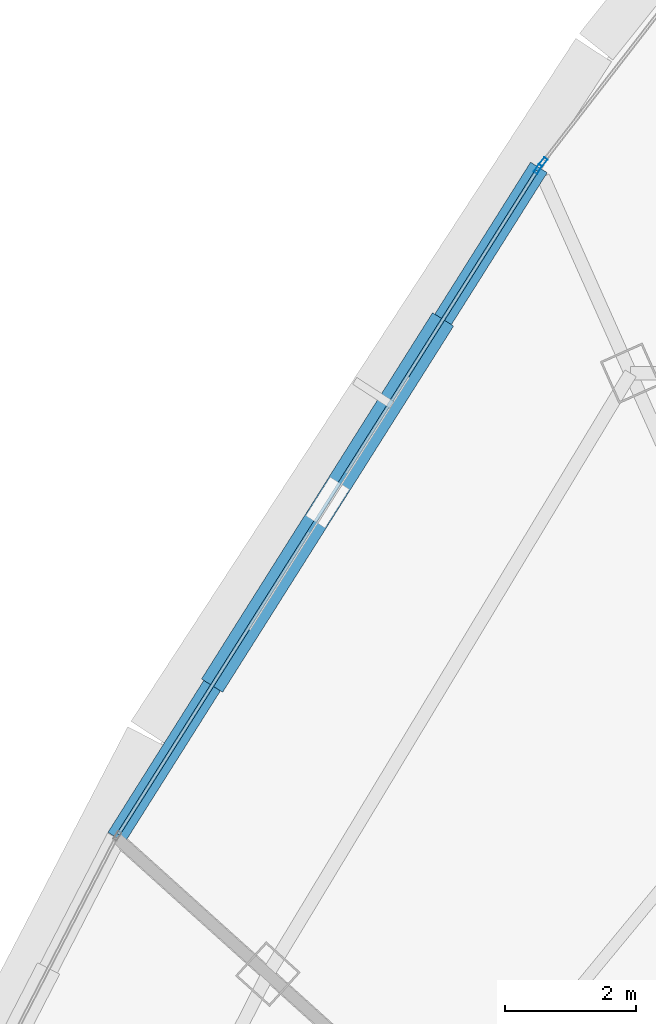
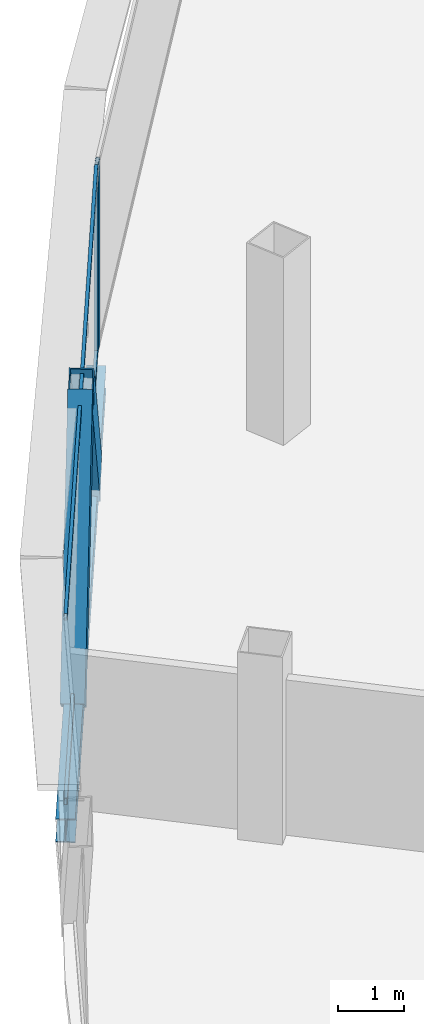
# One storey, part 16 of 26: 6 members, 1 beam, 2 elements without a shape of their own.
"""IFC4 building model written with IfcOpenShell, lengths in metres."""

from ifc_helpers import new_model, si_unit, direction, frame, origin, origin_2d, place, context, subcontext, project, spatial, hollow_rectangle, i_section, extrude, source, transform, mapped, material, layer, layer_set, material_profile, profile_set, type_object, element, aggregate, save


model = new_model("IFC4")

# Units and contexts
model_context = context("Model", 3, precision=1e-05, world=origin(), true_north=direction((0.0, 1.0)))
body_context = subcontext(model_context, "Body", "Model", "MODEL_VIEW")
ifc_project = project(units=[si_unit("LENGTHUNIT", "METRE"), si_unit("AREAUNIT", "SQUARE_METRE"), si_unit("VOLUMEUNIT", "CUBIC_METRE"), si_unit("PLANEANGLEUNIT", "RADIAN"), si_unit("MASSUNIT", "GRAM", prefix="KILO"), si_unit("THERMODYNAMICTEMPERATUREUNIT", "KELVIN"), si_unit("POWERUNIT", "WATT")], contexts=[model_context])

# Site, building, storey
site_placement = place(None, origin())
site = spatial("IfcSite", under=ifc_project, at=site_placement, CompositionType="ELEMENT")
building_placement = place(site_placement, origin())
building = spatial("IfcBuilding", under=site, at=building_placement, Name="Yunzhuo Pagoda Commons", CompositionType="ELEMENT")
storey_placement = place(building_placement, frame((0.0, 0.0, 340.510009765625)))
storey = spatial("IfcBuildingStorey", under=building, at=storey_placement, Name="L85", CompositionType="ELEMENT", Elevation=340.510009765625)

# Beam
ifc_material_1 = material(Name="Structural steel Q355B", Category="steel")
ifc_material_profile_1 = material_profile(ifc_material_1, i_section(OverallWidth=0.300048828125, OverallDepth=0.43994140625, WebThickness=0.010986328125, FlangeThickness=0.01806640625, at=origin_2d()), Name="Structural steel Q355B")
ifc_profile_set_1 = profile_set([ifc_material_profile_1], Name="Structural steel Q355B")
beam_type = type_object("IfcBeamType", Name="B-SP2 Beam HM 440x300x11x18", PredefinedType="BEAM", material=ifc_profile_set_1)
shared_shape_1 = source(origin(), body_context, "Body", "SweptSolid", [
    extrude(i_section(OverallWidth=0.300048828125, OverallDepth=0.43994140625, WebThickness=0.010986328125, FlangeThickness=0.01806640625, at=origin_2d()), origin(), (0.0, 0.0, 1.0), 12.06982421875),
])
beam_placement = place(storey_placement, frame((36.104736328125, 60.4169921875, -0.47998046875), z_axis=(-0.533456357961, -0.845827591268, 0.0), x_axis=(0.845827591268, -0.533456357961, 0.0)))
element("IfcBeam", 1, at=beam_placement, inside=storey, type_object=beam_type, Name="L85 facade edge spandrel beam F3.1", PredefinedType="BEAM", context=body_context, shape_type="MappedRepresentation", body=[
    mapped(shared_shape_1, transform((0.0, 0.0, 0.0), scale=1.0)),
])

# Members
ifc_material_profile_2 = material_profile(ifc_material_1, hollow_rectangle(XDim=0.3798828125, YDim=0.719970703125, WallThickness=0.02001953125, at=origin_2d()), Name="Structural steel Q355B")
ifc_profile_set_2 = profile_set([ifc_material_profile_2], Name="Structural steel Q355B")
member_type_1 = type_object("IfcMemberType", Name="M-DL3 Brace BOX 720x380x20", PredefinedType="BRACE", material=ifc_profile_set_2)
shared_shape_2 = source(origin(), body_context, "Body", "SweptSolid", [
    extrude(hollow_rectangle(XDim=0.3798828125, YDim=0.719970703125, WallThickness=0.02001953125, at=origin_2d()), origin(), (0.0, 0.0, 1.0), 4.813232421875),
])
for number, where, z_axis, x_axis, name in (
    (2, (34.4951171875, 57.86474609375, -0.260009765625), (-0.334459548167, -0.530245695562, 0.779086845594), (0.845800210541, -0.533499769305, 0.0), "L85 facade diamond brace F3.1L"),
    (3, (31.275390625, 52.760498046875, -0.260009765625), (0.334468543395, 0.530209233258, 0.77910779899), (-0.845777180308, 0.533536279245, 0.0), "L85 facade diamond brace F3.1R"),
):
    element("IfcMember", number, at=place(storey_placement, frame(where, z_axis=z_axis, x_axis=x_axis)), inside=storey, type_object=member_type_1, Name=name, PredefinedType="BRACE", context=body_context, shape_type="MappedRepresentation", body=[
        mapped(shared_shape_2, transform((0.0, 0.0, 0.0), scale=1.0)),
    ])

# Curtain wall, member
ifc_material_2 = material(Name="Anodized aluminium 6063-T6", Category="aluminium")
ifc_layer = layer(ifc_material_2, 0.139892578125)
ifc_layer_set = layer_set([ifc_layer], Name="Anodized aluminium 6063-T6")
curtain_wall_type = type_object("IfcCurtainWallType", Name="CW-HI High-Zone Ribbon Curtain Wall", PredefinedType="NOTDEFINED", material=ifc_layer_set)
curtain_wall_1_placement = place(storey_placement, origin())
curtain_wall_1 = element("IfcCurtainWall", 4, at=curtain_wall_1_placement, inside=storey, type_object=curtain_wall_type, Name="L85 curtain wall CW-L85-F3B2", PredefinedType="NOTDEFINED")
ifc_material_profile_3 = material_profile(ifc_material_2, hollow_rectangle(XDim=0.06005859375, YDim=0.139892578125, WallThickness=0.00341796875, at=origin_2d()), Name="Anodized aluminium 6063-T6")
ifc_profile_set_3 = profile_set([ifc_material_profile_3], Name="Anodized aluminium 6063-T6")
member_type_2 = type_object("IfcMemberType", Name="CW-HI-M Mullion RHS 140x60x3.5", PredefinedType="MULLION", material=ifc_profile_set_3)
shared_shape_3 = source(origin(), body_context, "Body", "SweptSolid", [
    extrude(hollow_rectangle(XDim=0.06005859375, YDim=0.139892578125, WallThickness=0.00341796875, at=origin_2d()), origin(), (0.0, 0.0, 1.0), 3.489990234375),
])
member_1_placement = place(storey_placement, frame((36.0888671875, 60.391845703125, 0.0), z_axis=(0.0, 0.0, 1.0), x_axis=(0.845817518552, -0.533472328532, 0.0)))
member_1 = element("IfcMember", 5, at=member_1_placement, type_object=member_type_2, Name="CW mullion 1", PredefinedType="MULLION", context=body_context, shape_type="MappedRepresentation", body=[
    mapped(shared_shape_3, transform((0.0, 0.0, 0.0), scale=1.0)),
])

curtain_wall_2_placement = place(storey_placement, origin())
curtain_wall_2 = element("IfcCurtainWall", 6, at=curtain_wall_2_placement, inside=storey, type_object=curtain_wall_type, Name="L85 curtain wall CW-L85-F3B1", PredefinedType="NOTDEFINED")
member_2_placement = place(storey_placement, frame((36.16943359375, 60.5, 0.0), z_axis=(0.0, 0.0, 1.0), x_axis=(0.79052744869, -0.612426610189, 0.0)))
member_2 = element("IfcMember", 7, at=member_2_placement, type_object=member_type_2, Name="CW mullion 2", PredefinedType="MULLION", context=body_context, shape_type="MappedRepresentation", body=[
    mapped(shared_shape_3, transform((0.0, 0.0, 0.0), scale=1.0)),
])
aggregate(curtain_wall_2, [member_2])

# Member
ifc_material_profile_4 = material_profile(ifc_material_2, hollow_rectangle(XDim=0.054931640625, YDim=0.1201171875, WallThickness=0.00341796875, at=origin_2d()), Name="Anodized aluminium 6063-T6")
ifc_profile_set_4 = profile_set([ifc_material_profile_4], Name="Anodized aluminium 6063-T6")
member_type_3 = type_object("IfcMemberType", Name="CW-HI-T Transom RHS 120x55x3.5", PredefinedType="USERDEFINED", material=ifc_profile_set_4)
shared_shape_4 = source(origin(), body_context, "Body", "SweptSolid", [
    extrude(hollow_rectangle(XDim=0.054931640625, YDim=0.1201171875, WallThickness=0.00341796875, at=origin_2d()), origin(), (0.0, 0.0, 1.0), 11.9501953125),
])
member_3_placement = place(storey_placement, frame((36.07275390625, 60.366455078125, 0.027587890625), z_axis=(-0.533467130189, -0.845820797219, 0.0), x_axis=(0.845820797219, -0.533467130189, 0.0)))
member_3 = element("IfcMember", 8, at=member_3_placement, type_object=member_type_3, Name="CW transom 1.1", ObjectType="TRANSOM", PredefinedType="USERDEFINED", context=body_context, shape_type="MappedRepresentation", body=[
    mapped(shared_shape_4, transform((0.0, 0.0, 0.0), scale=1.0)),
])

member_4_placement = place(storey_placement, frame((36.07275390625, 60.366455078125, 3.46240234375), z_axis=(-0.533467130189, -0.845820797219, 0.0), x_axis=(0.845820797219, -0.533467130189, 0.0)))
member_4 = element("IfcMember", 9, at=member_4_placement, type_object=member_type_3, Name="CW transom 1.2", ObjectType="TRANSOM", PredefinedType="USERDEFINED", context=body_context, shape_type="MappedRepresentation", body=[
    mapped(shared_shape_4, transform((0.0, 0.0, 0.0), scale=1.0)),
])

aggregate(curtain_wall_1, [member_1, member_3, member_4])

save(model, "model.ifc")
